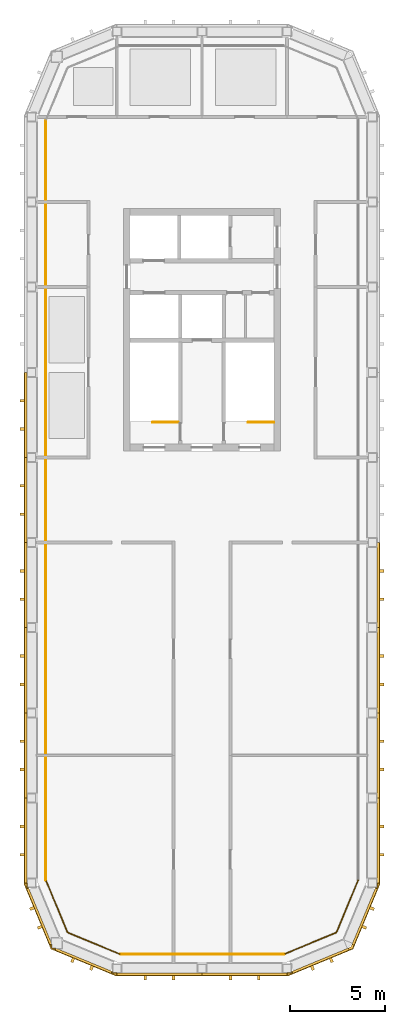
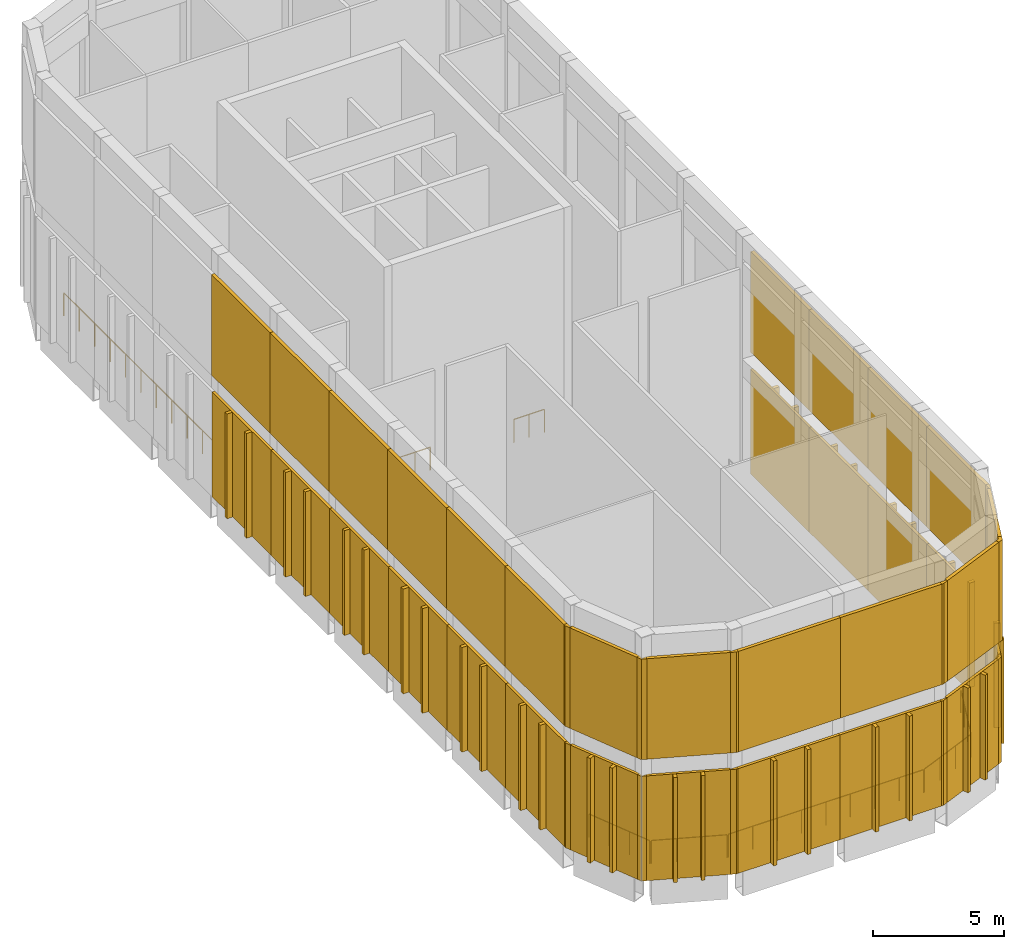
# One storey, part 5 of 7: 76 shading devices, 8 railings.
"""IFC4 building model written with IfcOpenShell, lengths in metres."""

from ifc_helpers import new_model, si_unit, direction, frame, origin, origin_2d, place, context, subcontext, project, spatial, polyline, rectangle, circle, outline, extrude, material, type_object, element, save


model = new_model("IFC4")

# Units and contexts
model_context = context("Model", 3, precision=1e-05, world=origin(), true_north=direction((0.0, 1.0)))
body_context = subcontext(model_context, "Body", "Model", "MODEL_VIEW")
ifc_project = project(units=[si_unit("LENGTHUNIT", "METRE"), si_unit("AREAUNIT", "SQUARE_METRE"), si_unit("VOLUMEUNIT", "CUBIC_METRE"), si_unit("PLANEANGLEUNIT", "RADIAN"), si_unit("MASSUNIT", "GRAM", prefix="KILO")], contexts=[model_context])

# Site, building, storey
site_placement = place(None, origin())
site = spatial("IfcSite", under=ifc_project, at=site_placement, CompositionType="ELEMENT")
building_placement = place(site_placement, origin())
building = spatial("IfcBuilding", under=site, at=building_placement, Name="Girih Gate Residences", CompositionType="ELEMENT")
storey_placement = place(building_placement, frame((0.0, 0.0, 247.094970703125)))
storey = spatial("IfcBuildingStorey", under=building, at=storey_placement, Name="L67", CompositionType="ELEMENT", Elevation=247.094970703125)

# Railings
ifc_material_1 = material(Name="Stainless steel railing", Category="steel")
railing_type_1 = type_object("IfcRailingType", Name="Crown deck guard 1100", PredefinedType="GUARDRAIL", material=ifc_material_1)
railing_1_placement = place(storey_placement, frame((17.25, 4.649169921875, 0.0)))
element("IfcRailing", 1, at=railing_1_placement, inside=storey, type_object=railing_type_1, Name="Crown deck guard L67 1.1.2", PredefinedType="GUARDRAIL", context=body_context, shape_type="SweptSolid", body=[
    extrude(circle(Radius=0.02490234375, at=origin_2d()), frame((0.0, 0.0, 1.0751953125), z_axis=(-0.382705716862, -0.923870301656, 0.0), x_axis=(0.923870301656, -0.382705716862, 0.0)), (0.0, 0.0, 1.0), 2.92431640625),
    extrude(circle(Radius=0.02490234375, at=origin_2d()), origin(), (0.0, 0.0, 1.0), 1.050048828125),
    extrude(circle(Radius=0.02490234375, at=origin_2d()), frame((-0.373046875, -0.900634765625, 0.0)), (0.0, 0.0, 1.0), 1.050048828125),
    extrude(circle(Radius=0.02490234375, at=origin_2d()), frame((-0.74609375, -1.801025390625, 0.0)), (0.0, 0.0, 1.0), 1.050048828125),
    extrude(circle(Radius=0.02490234375, at=origin_2d()), frame((-1.119140625, -2.70166015625, 0.0)), (0.0, 0.0, 1.0), 1.050048828125),
])
railing_2_placement = place(storey_placement, frame((16.10791015625, 1.89208984375, 0.0)))
element("IfcRailing", 2, at=railing_2_placement, inside=storey, type_object=railing_type_1, Name="Crown deck guard L67 1.1.3", PredefinedType="GUARDRAIL", context=body_context, shape_type="SweptSolid", body=[
    extrude(circle(Radius=0.02490234375, at=origin_2d()), frame((0.0, 0.0, 1.0751953125), z_axis=(-0.923870301656, -0.382705716862, 0.0), x_axis=(0.382705716862, -0.923870301656, 0.0)), (0.0, 0.0, 1.0), 2.92431640625),
    extrude(circle(Radius=0.02490234375, at=origin_2d()), origin(), (0.0, 0.0, 1.0), 1.050048828125),
    extrude(circle(Radius=0.02490234375, at=origin_2d()), frame((-0.900634765625, -0.373046875, 0.0)), (0.0, 0.0, 1.0), 1.050048828125),
    extrude(circle(Radius=0.02490234375, at=origin_2d()), frame((-1.801025390625, -0.74609375, 0.0)), (0.0, 0.0, 1.0), 1.050048828125),
    extrude(circle(Radius=0.02490234375, at=origin_2d()), frame((-2.70166015625, -1.119140625, 0.0)), (0.0, 0.0, 1.0), 1.050048828125),
])
railing_3_placement = place(storey_placement, frame((13.350830078125, 0.75, 0.0)))
element("IfcRailing", 3, at=railing_3_placement, inside=storey, type_object=railing_type_1, Name="Crown deck guard L67 1.1.4", PredefinedType="GUARDRAIL", context=body_context, shape_type="SweptSolid", body=[
    extrude(circle(Radius=0.02490234375, at=origin_2d()), frame((0.0, 0.0, 1.0751953125), z_axis=(-1.0, 0.0, 0.0), x_axis=(0.0, -1.0, 0.0)), (0.0, 0.0, 1.0), 8.6416015625),
    extrude(circle(Radius=0.02490234375, at=origin_2d()), origin(), (0.0, 0.0, 1.0), 1.050048828125),
    extrude(circle(Radius=0.02490234375, at=origin_2d()), frame((-1.080078125, 0.0, 0.0)), (0.0, 0.0, 1.0), 1.050048828125),
    extrude(circle(Radius=0.02490234375, at=origin_2d()), frame((-2.160400390625, 0.0, 0.0)), (0.0, 0.0, 1.0), 1.050048828125),
    extrude(circle(Radius=0.02490234375, at=origin_2d()), frame((-3.24072265625, 0.0, 0.0)), (0.0, 0.0, 1.0), 1.050048828125),
    extrude(circle(Radius=0.02490234375, at=origin_2d()), frame((-4.32080078125, 0.0, 0.0)), (0.0, 0.0, 1.0), 1.050048828125),
    extrude(circle(Radius=0.02490234375, at=origin_2d()), frame((-5.40087890625, 0.0, 0.0)), (0.0, 0.0, 1.0), 1.050048828125),
    extrude(circle(Radius=0.02490234375, at=origin_2d()), frame((-6.481201171875, 0.0, 0.0)), (0.0, 0.0, 1.0), 1.050048828125),
    extrude(circle(Radius=0.02490234375, at=origin_2d()), frame((-7.5615234375, 0.0, 0.0)), (0.0, 0.0, 1.0), 1.050048828125),
    extrude(circle(Radius=0.02490234375, at=origin_2d()), frame((-8.6416015625, 0.0, 0.0)), (0.0, 0.0, 1.0), 1.050048828125),
])
railing_4_placement = place(storey_placement, frame((4.649169921875, 0.75, 0.0)))
element("IfcRailing", 4, at=railing_4_placement, inside=storey, type_object=railing_type_1, Name="Crown deck guard L67 1.1.5", PredefinedType="GUARDRAIL", context=body_context, shape_type="SweptSolid", body=[
    extrude(circle(Radius=0.02490234375, at=origin_2d()), frame((0.0, 0.0, 1.0751953125), z_axis=(-0.923870301656, 0.382705716862, 0.0), x_axis=(-0.382705716862, -0.923870301656, 0.0)), (0.0, 0.0, 1.0), 2.92431640625),
    extrude(circle(Radius=0.02490234375, at=origin_2d()), origin(), (0.0, 0.0, 1.0), 1.050048828125),
    extrude(circle(Radius=0.02490234375, at=origin_2d()), frame((-0.900634765625, 0.373046875, 0.0)), (0.0, 0.0, 1.0), 1.050048828125),
    extrude(circle(Radius=0.02490234375, at=origin_2d()), frame((-1.801025390625, 0.74609375, 0.0)), (0.0, 0.0, 1.0), 1.050048828125),
    extrude(circle(Radius=0.02490234375, at=origin_2d()), frame((-2.70166015625, 1.119140625, 0.0)), (0.0, 0.0, 1.0), 1.050048828125),
])
railing_5_placement = place(storey_placement, frame((1.89208984375, 1.89208984375, 0.0)))
element("IfcRailing", 5, at=railing_5_placement, inside=storey, type_object=railing_type_1, Name="Crown deck guard L67 1.1.6", PredefinedType="GUARDRAIL", context=body_context, shape_type="SweptSolid", body=[
    extrude(circle(Radius=0.02490234375, at=origin_2d()), frame((0.0, 0.0, 1.0751953125), z_axis=(-0.382705716862, 0.923870301656, 0.0), x_axis=(-0.923870301656, -0.382705716862, 0.0)), (0.0, 0.0, 1.0), 2.92431640625),
    extrude(circle(Radius=0.02490234375, at=origin_2d()), origin(), (0.0, 0.0, 1.0), 1.050048828125),
    extrude(circle(Radius=0.02490234375, at=origin_2d()), frame((-0.373046875, 0.900634765625, 0.0)), (0.0, 0.0, 1.0), 1.050048828125),
    extrude(circle(Radius=0.02490234375, at=origin_2d()), frame((-0.74609375, 1.801025390625, 0.0)), (0.0, 0.0, 1.0), 1.050048828125),
    extrude(circle(Radius=0.02490234375, at=origin_2d()), frame((-1.119140625, 2.70166015625, 0.0)), (0.0, 0.0, 1.0), 1.050048828125),
])
railing_6_placement = place(storey_placement, frame((0.75, 4.649169921875, 0.0)))
element("IfcRailing", 6, at=railing_6_placement, inside=storey, type_object=railing_type_1, Name="Crown deck guard L67 1.1.7", PredefinedType="GUARDRAIL", context=body_context, shape_type="SweptSolid", body=[
    extrude(circle(Radius=0.02490234375, at=origin_2d()), frame((0.0, 0.0, 1.0751953125), z_axis=(0.0, 1.0, 0.0), x_axis=(-1.0, 0.0, 0.0)), (0.0, 0.0, 1.0), 40.1416015625),
    extrude(circle(Radius=0.02490234375, at=origin_2d()), origin(), (0.0, 0.0, 1.0), 1.050048828125),
    extrude(circle(Radius=0.02490234375, at=origin_2d()), frame((0.0, 1.1806640625, 0.0)), (0.0, 0.0, 1.0), 1.050048828125),
    extrude(circle(Radius=0.02490234375, at=origin_2d()), frame((0.0, 2.361328125, 0.0)), (0.0, 0.0, 1.0), 1.050048828125),
    extrude(circle(Radius=0.02490234375, at=origin_2d()), frame((0.0, 3.5419921875, 0.0)), (0.0, 0.0, 1.0), 1.050048828125),
    extrude(circle(Radius=0.02490234375, at=origin_2d()), frame((0.0, 4.72265625, 0.0)), (0.0, 0.0, 1.0), 1.050048828125),
    extrude(circle(Radius=0.02490234375, at=origin_2d()), frame((0.0, 5.903076171875, 0.0)), (0.0, 0.0, 1.0), 1.050048828125),
    extrude(circle(Radius=0.02490234375, at=origin_2d()), frame((0.0, 7.083740234375, 0.0)), (0.0, 0.0, 1.0), 1.050048828125),
    extrude(circle(Radius=0.02490234375, at=origin_2d()), frame((0.0, 8.264404296875, 0.0)), (0.0, 0.0, 1.0), 1.050048828125),
    extrude(circle(Radius=0.02490234375, at=origin_2d()), frame((0.0, 9.445068359375, 0.0)), (0.0, 0.0, 1.0), 1.050048828125),
    extrude(circle(Radius=0.02490234375, at=origin_2d()), frame((0.0, 10.625732421875, 0.0)), (0.0, 0.0, 1.0), 1.050048828125),
    extrude(circle(Radius=0.02490234375, at=origin_2d()), frame((0.0, 11.806396484375, 0.0)), (0.0, 0.0, 1.0), 1.050048828125),
    extrude(circle(Radius=0.02490234375, at=origin_2d()), frame((0.0, 12.987060546875, 0.0)), (0.0, 0.0, 1.0), 1.050048828125),
    extrude(circle(Radius=0.02490234375, at=origin_2d()), frame((0.0, 14.167724609375, 0.0)), (0.0, 0.0, 1.0), 1.050048828125),
    extrude(circle(Radius=0.02490234375, at=origin_2d()), frame((0.0, 15.34814453125, 0.0)), (0.0, 0.0, 1.0), 1.050048828125),
    extrude(circle(Radius=0.02490234375, at=origin_2d()), frame((0.0, 16.52880859375, 0.0)), (0.0, 0.0, 1.0), 1.050048828125),
    extrude(circle(Radius=0.02490234375, at=origin_2d()), frame((0.0, 17.70947265625, 0.0)), (0.0, 0.0, 1.0), 1.050048828125),
    extrude(circle(Radius=0.02490234375, at=origin_2d()), frame((0.0, 18.89013671875, 0.0)), (0.0, 0.0, 1.0), 1.050048828125),
    extrude(circle(Radius=0.02490234375, at=origin_2d()), frame((0.0, 20.07080078125, 0.0)), (0.0, 0.0, 1.0), 1.050048828125),
    extrude(circle(Radius=0.02490234375, at=origin_2d()), frame((0.0, 21.25146484375, 0.0)), (0.0, 0.0, 1.0), 1.050048828125),
    extrude(circle(Radius=0.02490234375, at=origin_2d()), frame((0.0, 22.43212890625, 0.0)), (0.0, 0.0, 1.0), 1.050048828125),
    extrude(circle(Radius=0.02490234375, at=origin_2d()), frame((0.0, 23.61279296875, 0.0)), (0.0, 0.0, 1.0), 1.050048828125),
    extrude(circle(Radius=0.02490234375, at=origin_2d()), frame((0.0, 24.79345703125, 0.0)), (0.0, 0.0, 1.0), 1.050048828125),
    extrude(circle(Radius=0.02490234375, at=origin_2d()), frame((0.0, 25.973876953125, 0.0)), (0.0, 0.0, 1.0), 1.050048828125),
    extrude(circle(Radius=0.02490234375, at=origin_2d()), frame((0.0, 27.154541015625, 0.0)), (0.0, 0.0, 1.0), 1.050048828125),
    extrude(circle(Radius=0.02490234375, at=origin_2d()), frame((0.0, 28.335205078125, 0.0)), (0.0, 0.0, 1.0), 1.050048828125),
    extrude(circle(Radius=0.02490234375, at=origin_2d()), frame((0.0, 29.515869140625, 0.0)), (0.0, 0.0, 1.0), 1.050048828125),
    extrude(circle(Radius=0.02490234375, at=origin_2d()), frame((0.0, 30.696533203125, 0.0)), (0.0, 0.0, 1.0), 1.050048828125),
    extrude(circle(Radius=0.02490234375, at=origin_2d()), frame((0.0, 31.877197265625, 0.0)), (0.0, 0.0, 1.0), 1.050048828125),
    extrude(circle(Radius=0.02490234375, at=origin_2d()), frame((0.0, 33.057861328125, 0.0)), (0.0, 0.0, 1.0), 1.050048828125),
    extrude(circle(Radius=0.02490234375, at=origin_2d()), frame((0.0, 34.238525390625, 0.0)), (0.0, 0.0, 1.0), 1.050048828125),
    extrude(circle(Radius=0.02490234375, at=origin_2d()), frame((0.0, 35.4189453125, 0.0)), (0.0, 0.0, 1.0), 1.050048828125),
    extrude(circle(Radius=0.02490234375, at=origin_2d()), frame((0.0, 36.599609375, 0.0)), (0.0, 0.0, 1.0), 1.050048828125),
    extrude(circle(Radius=0.02490234375, at=origin_2d()), frame((0.0, 37.7802734375, 0.0)), (0.0, 0.0, 1.0), 1.050048828125),
    extrude(circle(Radius=0.02490234375, at=origin_2d()), frame((0.0, 38.9609375, 0.0)), (0.0, 0.0, 1.0), 1.050048828125),
    extrude(circle(Radius=0.02490234375, at=origin_2d()), frame((0.0, 40.1416015625, 0.0)), (0.0, 0.0, 1.0), 1.050048828125),
])

# Shading devices
ifc_material_2 = material(Name="Precast concrete C50/60", Category="concrete")
shading_device_type_1 = type_object("IfcShadingDeviceType", Name="Crown fluted rib 150x250", PredefinedType="USERDEFINED", material=ifc_material_2)
for number, where, z_axis, x_axis, name in (
    (7, (-0.4951171875, 30.0, 0.0), (0.0, 0.0, 1.0), (0.0, -1.0, 0.0), "Crown rib 3.W0000_0450.3.1"),
    (8, (-0.4951171875, 28.5, 0.0), (0.0, 0.0, 1.0), (0.0, -1.0, 0.0), "Crown rib 3.W0000_0450.3.2"),
    (9, (-0.4951171875, 25.5, 0.0), (0.0, 0.0, 1.0), (0.0, -1.0, 0.0), "Crown rib 3.W0000_0450.4.1"),
    (10, (-0.4951171875, 24.0, 0.0), (0.0, 0.0, 1.0), (0.0, -1.0, 0.0), "Crown rib 3.W0000_0450.4.2"),
    (11, (-0.4951171875, 21.0, 0.0), (0.0, 0.0, 1.0), (0.0, -1.0, 0.0), "Crown rib 3.W0000_0450.5.1"),
    (12, (-0.4951171875, 19.5, 0.0), (0.0, 0.0, 1.0), (0.0, -1.0, 0.0), "Crown rib 3.W0000_0450.5.2"),
    (13, (-0.4951171875, 16.5, 0.0), (0.0, 0.0, 1.0), (0.0, -1.0, 0.0), "Crown rib 3.W0000_0450.6.1"),
    (14, (-0.4951171875, 15.0, 0.0), (0.0, 0.0, 1.0), (0.0, -1.0, 0.0), "Crown rib 3.W0000_0450.6.2"),
    (15, (-0.4951171875, 12.0, 0.0), (0.0, 0.0, 1.0), (0.0, -1.0, 0.0), "Crown rib 3.W0000_0450.7.1"),
    (16, (-0.4951171875, 10.5, 0.0), (0.0, 0.0, 1.0), (0.0, -1.0, 0.0), "Crown rib 3.W0000_0450.7.2"),
    (17, (-0.4951171875, 7.5, 0.0), (0.0, 0.0, 1.0), (0.0, -1.0, 0.0), "Crown rib 3.W0000_0450.8.1"),
    (18, (-0.4951171875, 6.0, 0.0), (0.0, 0.0, 1.0), (0.0, -1.0, 0.0), "Crown rib 3.W0000_0450.8.2"),
    (19, (0.018310546875, 3.162353515625, 0.0), (0.0, 0.0, 1.0), (0.382683432365, -0.923879532511, 0.0), "Crown rib 3.SW0000_0045.0.1"),
    (20, (0.429931640625, 2.16845703125, 0.0), (0.0, 0.0, 1.0), (0.382683432365, -0.923879532511, 0.0), "Crown rib 3.SW0000_0045.0.2"),
    (21, (2.16845703125, 0.429931640625, 0.0), (0.0, 0.0, 1.0), (0.923879532511, -0.382683432365, 0.0), "Crown rib 3.SW0013_0013.0.1"),
    (22, (3.162353515625, 0.018310546875, 0.0), (0.0, 0.0, 1.0), (0.923879532511, -0.382683432365, 0.0), "Crown rib 3.SW0013_0013.0.2"),
    (23, (6.0, -0.4951171875, 0.0), (0.0, 0.0, 1.0), (1.0, 0.0, 0.0), "Crown rib 3.S0045_0000.0.1"),
    (24, (7.5, -0.4951171875, 0.0), (0.0, 0.0, 1.0), (1.0, 0.0, 0.0), "Crown rib 3.S0045_0000.0.2"),
    (25, (10.5, -0.4951171875, 0.0), (0.0, 0.0, 1.0), (1.0, 0.0, 0.0), "Crown rib 3.S0045_0000.1.1"),
    (26, (12.0, -0.4951171875, 0.0), (0.0, 0.0, 1.0), (1.0, 0.0, 0.0), "Crown rib 3.S0045_0000.1.2"),
    (27, (14.837646484375, 0.018310546875, 0.0), (0.0, 0.0, 1.0), (0.923879532511, 0.382683432365, 0.0), "Crown rib 3.SE0135_0000.0.1"),
    (28, (15.83154296875, 0.429931640625, 0.0), (0.0, 0.0, 1.0), (0.923879532511, 0.382683432365, 0.0), "Crown rib 3.SE0135_0000.0.2"),
    (29, (17.570068359375, 2.16845703125, 0.0), (0.0, 0.0, 1.0), (0.382683432365, 0.923879532511, 0.0), "Crown rib 3.SE0167_0013.0.1"),
    (30, (17.981689453125, 3.162353515625, 0.0), (0.0, 0.0, 1.0), (0.382683432365, 0.923879532511, 0.0), "Crown rib 3.SE0167_0013.0.2"),
    (31, (18.4951171875, 6.0, 0.0), (0.0, 0.0, 1.0), (0.0, 1.0, 0.0), "Crown rib 3.E0180_0045.0.1"),
    (32, (18.4951171875, 7.5, 0.0), (0.0, 0.0, 1.0), (0.0, 1.0, 0.0), "Crown rib 3.E0180_0045.0.2"),
    (33, (18.4951171875, 10.5, 0.0), (0.0, 0.0, 1.0), (0.0, 1.0, 0.0), "Crown rib 3.E0180_0045.1.1"),
    (34, (18.4951171875, 12.0, 0.0), (0.0, 0.0, 1.0), (0.0, 1.0, 0.0), "Crown rib 3.E0180_0045.1.2"),
    (35, (18.4951171875, 15.0, 0.0), (0.0, 0.0, 1.0), (0.0, 1.0, 0.0), "Crown rib 3.E0180_0045.2.1"),
    (36, (18.4951171875, 16.5, 0.0), (0.0, 0.0, 1.0), (0.0, 1.0, 0.0), "Crown rib 3.E0180_0045.2.2"),
    (37, (18.4951171875, 19.5, 0.0), (0.0, 0.0, 1.0), (0.0, 1.0, 0.0), "Crown rib 3.E0180_0045.3.1"),
    (38, (18.4951171875, 21.0, 0.0), (0.0, 0.0, 1.0), (0.0, 1.0, 0.0), "Crown rib 3.E0180_0045.3.2"),
):
    element("IfcShadingDevice", number, at=place(storey_placement, frame(where, z_axis=z_axis, x_axis=x_axis)), inside=storey, type_object=shading_device_type_1, Name=name, ObjectType="FIN", PredefinedType="USERDEFINED", context=body_context, shape_type="SweptSolid", body=[
        extrude(rectangle(XDim=0.14990234375, YDim=0.25, at=origin_2d()), origin(), (0.0, 0.0, 1.0), 4.89990234375),
    ])
ifc_material_3 = material(Name="Aluminium louvre", Category="aluminium")
shading_device_type_2 = type_object("IfcShadingDeviceType", Name="Crown louvre band 150", PredefinedType="USERDEFINED", material=ifc_material_3)
for number, where, z_axis, x_axis, name in (
    (39, (-0.324951171875, 29.25, 5.7001953125), (0.0, 0.0, 1.0), (0.0, -1.0, 0.0), "Crown louvre 4.W0000_0450.3"),
    (40, (-0.324951171875, 24.75, 5.7001953125), (0.0, 0.0, 1.0), (0.0, -1.0, 0.0), "Crown louvre 4.W0000_0450.4"),
    (41, (-0.324951171875, 20.25, 5.7001953125), (0.0, 0.0, 1.0), (0.0, -1.0, 0.0), "Crown louvre 4.W0000_0450.5"),
    (42, (-0.324951171875, 15.75, 5.7001953125), (0.0, 0.0, 1.0), (0.0, -1.0, 0.0), "Crown louvre 4.W0000_0450.6"),
    (43, (-0.324951171875, 11.25, 5.7001953125), (0.0, 0.0, 1.0), (0.0, -1.0, 0.0), "Crown louvre 4.W0000_0450.7"),
    (44, (-0.324951171875, 6.75, 5.7001953125), (0.0, 0.0, 1.0), (0.0, -1.0, 0.0), "Crown louvre 4.W0000_0450.8"),
):
    element("IfcShadingDevice", number, at=place(storey_placement, frame(where, z_axis=z_axis, x_axis=x_axis)), inside=storey, type_object=shading_device_type_2, Name=name, ObjectType="LOUVRE", PredefinedType="USERDEFINED", context=body_context, shape_type="SweptSolid", body=[
        extrude(rectangle(XDim=4.5, YDim=0.14990234375, at=origin_2d()), origin(), (0.0, 0.0, 1.0), 4.699951171875),
    ])
for number, where, z_axis, x_axis, name in (
    (45, (0.381103515625, 2.73046875, 5.7001953125), (0.0, 0.0, 1.0), (0.382683432365, -0.923879532511, 0.0), "Crown louvre 4.SW0000_0045.0"),
    (46, (2.73046875, 0.381103515625, 5.7001953125), (0.0, 0.0, 1.0), (0.923879532511, -0.382683432365, 0.0), "Crown louvre 4.SW0013_0013.0"),
):
    element("IfcShadingDevice", number, at=place(storey_placement, frame(where, z_axis=z_axis, x_axis=x_axis)), inside=storey, type_object=shading_device_type_2, Name=name, ObjectType="LOUVRE", PredefinedType="USERDEFINED", context=body_context, shape_type="SweptSolid", body=[
        extrude(rectangle(XDim=3.227294921875, YDim=0.14990234375, at=origin_2d()), origin(), (0.0, 0.0, 1.0), 4.699951171875),
    ])
for number, where, z_axis, x_axis, name in (
    (47, (6.75, -0.324951171875, 5.7001953125), (0.0, 0.0, 1.0), (1.0, 0.0, 0.0), "Crown louvre 4.S0045_0000.0"),
    (48, (11.25, -0.324951171875, 5.7001953125), (0.0, 0.0, 1.0), (1.0, 0.0, 0.0), "Crown louvre 4.S0045_0000.1"),
):
    element("IfcShadingDevice", number, at=place(storey_placement, frame(where, z_axis=z_axis, x_axis=x_axis)), inside=storey, type_object=shading_device_type_2, Name=name, ObjectType="LOUVRE", PredefinedType="USERDEFINED", context=body_context, shape_type="SweptSolid", body=[
        extrude(rectangle(XDim=4.5, YDim=0.14990234375, at=origin_2d()), origin(), (0.0, 0.0, 1.0), 4.699951171875),
    ])
for number, where, z_axis, x_axis, name in (
    (49, (15.26953125, 0.381103515625, 5.7001953125), (0.0, 0.0, 1.0), (0.923879532511, 0.382683432365, 0.0), "Crown louvre 4.SE0135_0000.0"),
    (50, (17.618896484375, 2.73046875, 5.7001953125), (0.0, 0.0, 1.0), (0.382683432365, 0.923879532511, 0.0), "Crown louvre 4.SE0167_0013.0"),
):
    element("IfcShadingDevice", number, at=place(storey_placement, frame(where, z_axis=z_axis, x_axis=x_axis)), inside=storey, type_object=shading_device_type_2, Name=name, ObjectType="LOUVRE", PredefinedType="USERDEFINED", context=body_context, shape_type="SweptSolid", body=[
        extrude(rectangle(XDim=3.227294921875, YDim=0.14990234375, at=origin_2d()), origin(), (0.0, 0.0, 1.0), 4.699951171875),
    ])
for number, where, z_axis, x_axis, name in (
    (51, (18.324951171875, 6.75, 5.7001953125), (0.0, 0.0, 1.0), (0.0, 1.0, 0.0), "Crown louvre 4.E0180_0045.0"),
    (52, (18.324951171875, 11.25, 5.7001953125), (0.0, 0.0, 1.0), (0.0, 1.0, 0.0), "Crown louvre 4.E0180_0045.1"),
    (53, (18.324951171875, 15.75, 5.7001953125), (0.0, 0.0, 1.0), (0.0, 1.0, 0.0), "Crown louvre 4.E0180_0045.2"),
    (54, (18.324951171875, 20.25, 5.7001953125), (0.0, 0.0, 1.0), (0.0, 1.0, 0.0), "Crown louvre 4.E0180_0045.3"),
):
    element("IfcShadingDevice", number, at=place(storey_placement, frame(where, z_axis=z_axis, x_axis=x_axis)), inside=storey, type_object=shading_device_type_2, Name=name, ObjectType="LOUVRE", PredefinedType="USERDEFINED", context=body_context, shape_type="SweptSolid", body=[
        extrude(rectangle(XDim=4.5, YDim=0.14990234375, at=origin_2d()), origin(), (0.0, 0.0, 1.0), 4.699951171875),
    ])
shading_device_1_placement = place(storey_placement, frame((0.0, 0.0, 5.699951171875)))
element("IfcShadingDevice", 55, at=shading_device_1_placement, inside=storey, type_object=shading_device_type_2, Name="Crown louvre corner 4.W0000_0450.8", ObjectType="LOUVRE", PredefinedType="USERDEFINED", context=body_context, shape_type="SweptSolid", body=[
    extrude(outline(polyline([(-0.39990234375, 4.42041015625), (-0.39990234375, 4.5), (-0.25, 4.5), (-0.25, 4.25), (-0.167236328125, 4.25), (-0.3056640625, 4.192626953125), (-0.39990234375, 4.42041015625)])), origin(), (0.0, 0.0, 1.0), 4.7001953125),
])
shading_device_2_placement = place(storey_placement, frame((0.0, 0.0, 5.699951171875)))
element("IfcShadingDevice", 56, at=shading_device_2_placement, inside=storey, type_object=shading_device_type_2, Name="Crown louvre corner 4.SW0000_0045.0", ObjectType="LOUVRE", PredefinedType="USERDEFINED", context=body_context, shape_type="SweptSolid", body=[
    extrude(outline(polyline([(1.011962890625, 1.011962890625), (0.929443359375, 1.2109375), (1.068115234375, 1.268310546875), (1.068115234375, 1.068115234375), (1.268310546875, 1.068115234375), (1.2109375, 0.929443359375), (1.011962890625, 1.011962890625)])), origin(), (0.0, 0.0, 1.0), 4.7001953125),
])
shading_device_3_placement = place(storey_placement, frame((0.0, 0.0, 5.699951171875)))
element("IfcShadingDevice", 57, at=shading_device_3_placement, inside=storey, type_object=shading_device_type_2, Name="Crown louvre corner 4.SW0013_0013.0", ObjectType="LOUVRE", PredefinedType="USERDEFINED", context=body_context, shape_type="SweptSolid", body=[
    extrude(outline(polyline([(4.42041015625, -0.39990234375), (4.192626953125, -0.3056640625), (4.25, -0.1669921875), (4.25, -0.25), (4.5, -0.25), (4.5, -0.39990234375), (4.42041015625, -0.39990234375)])), origin(), (0.0, 0.0, 1.0), 4.7001953125),
])
shading_device_4_placement = place(storey_placement, frame((0.0, 0.0, 5.699951171875)))
element("IfcShadingDevice", 58, at=shading_device_4_placement, inside=storey, type_object=shading_device_type_2, Name="Crown louvre corner 4.S0045_0000.1", ObjectType="LOUVRE", PredefinedType="USERDEFINED", context=body_context, shape_type="SweptSolid", body=[
    extrude(outline(polyline([(13.57958984375, -0.39990234375), (13.5, -0.39990234375), (13.5, -0.25), (13.75, -0.25), (13.75, -0.167236328125), (13.807373046875, -0.3056640625), (13.57958984375, -0.39990234375)])), origin(), (0.0, 0.0, 1.0), 4.7001953125),
])
shading_device_5_placement = place(storey_placement, frame((0.0, 0.0, 5.699951171875)))
element("IfcShadingDevice", 59, at=shading_device_5_placement, inside=storey, type_object=shading_device_type_2, Name="Crown louvre corner 4.SE0135_0000.0", ObjectType="LOUVRE", PredefinedType="USERDEFINED", context=body_context, shape_type="SweptSolid", body=[
    extrude(outline(polyline([(16.988037109375, 1.011962890625), (16.7890625, 0.929443359375), (16.731689453125, 1.068115234375), (16.873291015625, 1.126708984375), (16.931884765625, 1.268310546875), (17.070556640625, 1.2109375), (16.988037109375, 1.011962890625)])), origin(), (0.0, 0.0, 1.0), 4.7001953125),
])
shading_device_6_placement = place(storey_placement, frame((0.0, 0.0, 5.699951171875)))
element("IfcShadingDevice", 60, at=shading_device_6_placement, inside=storey, type_object=shading_device_type_2, Name="Crown louvre corner 4.SE0167_0013.0", ObjectType="LOUVRE", PredefinedType="USERDEFINED", context=body_context, shape_type="SweptSolid", body=[
    extrude(outline(polyline([(18.39990234375, 4.42041015625), (18.3056640625, 4.192626953125), (18.1669921875, 4.25), (18.25, 4.25), (18.25, 4.5), (18.39990234375, 4.5), (18.39990234375, 4.42041015625)])), origin(), (0.0, 0.0, 1.0), 4.7001953125),
])
ifc_material_4 = material(Name="Turquoise glazed tile panjara screen")
shading_device_type_3 = type_object("IfcShadingDeviceType", Name="Crown tile screen 120", PredefinedType="USERDEFINED", material=ifc_material_4)
for number, where, z_axis, x_axis, name in (
    (61, (-0.31005859375, 29.25, 0.0), (0.0, 0.0, 1.0), (0.0, -1.0, 0.0), "Crown screen 3.W0000_0450.3"),
    (62, (-0.31005859375, 24.75, 0.0), (0.0, 0.0, 1.0), (0.0, -1.0, 0.0), "Crown screen 3.W0000_0450.4"),
    (63, (-0.31005859375, 20.25, 0.0), (0.0, 0.0, 1.0), (0.0, -1.0, 0.0), "Crown screen 3.W0000_0450.5"),
    (64, (-0.31005859375, 15.75, 0.0), (0.0, 0.0, 1.0), (0.0, -1.0, 0.0), "Crown screen 3.W0000_0450.6"),
    (65, (-0.31005859375, 11.25, 0.0), (0.0, 0.0, 1.0), (0.0, -1.0, 0.0), "Crown screen 3.W0000_0450.7"),
    (66, (-0.31005859375, 6.75, 0.0), (0.0, 0.0, 1.0), (0.0, -1.0, 0.0), "Crown screen 3.W0000_0450.8"),
):
    element("IfcShadingDevice", number, at=place(storey_placement, frame(where, z_axis=z_axis, x_axis=x_axis)), inside=storey, type_object=shading_device_type_3, Name=name, ObjectType="SCREEN", PredefinedType="USERDEFINED", context=body_context, shape_type="SweptSolid", body=[
        extrude(rectangle(XDim=4.5, YDim=0.1201171875, at=origin_2d()), origin(), (0.0, 0.0, 1.0), 4.89990234375),
    ])
for number, where, z_axis, x_axis, name in (
    (67, (0.39501953125, 2.736328125, 0.0), (0.0, 0.0, 1.0), (0.382683432365, -0.923879532511, 0.0), "Crown screen 3.SW0000_0045.0"),
    (68, (2.736083984375, 0.39501953125, 0.0), (0.0, 0.0, 1.0), (0.923879532511, -0.382683432365, 0.0), "Crown screen 3.SW0013_0013.0"),
):
    element("IfcShadingDevice", number, at=place(storey_placement, frame(where, z_axis=z_axis, x_axis=x_axis)), inside=storey, type_object=shading_device_type_3, Name=name, ObjectType="SCREEN", PredefinedType="USERDEFINED", context=body_context, shape_type="SweptSolid", body=[
        extrude(rectangle(XDim=3.227294921875, YDim=0.1201171875, at=origin_2d()), origin(), (0.0, 0.0, 1.0), 4.89990234375),
    ])
for number, where, z_axis, x_axis, name in (
    (69, (6.75, -0.31005859375, 0.0), (0.0, 0.0, 1.0), (1.0, 0.0, 0.0), "Crown screen 3.S0045_0000.0"),
    (70, (11.25, -0.31005859375, 0.0), (0.0, 0.0, 1.0), (1.0, 0.0, 0.0), "Crown screen 3.S0045_0000.1"),
):
    element("IfcShadingDevice", number, at=place(storey_placement, frame(where, z_axis=z_axis, x_axis=x_axis)), inside=storey, type_object=shading_device_type_3, Name=name, ObjectType="SCREEN", PredefinedType="USERDEFINED", context=body_context, shape_type="SweptSolid", body=[
        extrude(rectangle(XDim=4.5, YDim=0.1201171875, at=origin_2d()), origin(), (0.0, 0.0, 1.0), 4.89990234375),
    ])
for number, where, z_axis, x_axis, name in (
    (71, (15.263671875, 0.39501953125, 0.0), (0.0, 0.0, 1.0), (0.923879532511, 0.382683432365, 0.0), "Crown screen 3.SE0135_0000.0"),
    (72, (17.60498046875, 2.736083984375, 0.0), (0.0, 0.0, 1.0), (0.382683432365, 0.923879532511, 0.0), "Crown screen 3.SE0167_0013.0"),
):
    element("IfcShadingDevice", number, at=place(storey_placement, frame(where, z_axis=z_axis, x_axis=x_axis)), inside=storey, type_object=shading_device_type_3, Name=name, ObjectType="SCREEN", PredefinedType="USERDEFINED", context=body_context, shape_type="SweptSolid", body=[
        extrude(rectangle(XDim=3.227294921875, YDim=0.1201171875, at=origin_2d()), origin(), (0.0, 0.0, 1.0), 4.89990234375),
    ])
for number, where, z_axis, x_axis, name in (
    (73, (18.31005859375, 6.75, 0.0), (0.0, 0.0, 1.0), (0.0, 1.0, 0.0), "Crown screen 3.E0180_0045.0"),
    (74, (18.31005859375, 11.25, 0.0), (0.0, 0.0, 1.0), (0.0, 1.0, 0.0), "Crown screen 3.E0180_0045.1"),
    (75, (18.31005859375, 15.75, 0.0), (0.0, 0.0, 1.0), (0.0, 1.0, 0.0), "Crown screen 3.E0180_0045.2"),
    (76, (18.31005859375, 20.25, 0.0), (0.0, 0.0, 1.0), (0.0, 1.0, 0.0), "Crown screen 3.E0180_0045.3"),
):
    element("IfcShadingDevice", number, at=place(storey_placement, frame(where, z_axis=z_axis, x_axis=x_axis)), inside=storey, type_object=shading_device_type_3, Name=name, ObjectType="SCREEN", PredefinedType="USERDEFINED", context=body_context, shape_type="SweptSolid", body=[
        extrude(rectangle(XDim=4.5, YDim=0.1201171875, at=origin_2d()), origin(), (0.0, 0.0, 1.0), 4.89990234375),
    ])
shading_device_7_placement = place(storey_placement, origin())
element("IfcShadingDevice", 77, at=shading_device_7_placement, inside=storey, type_object=shading_device_type_3, Name="Crown screen corner 3.W0000_0450.8", ObjectType="SCREEN", PredefinedType="USERDEFINED", context=body_context, shape_type="SweptSolid", body=[
    extrude(outline(polyline([(-0.3701171875, 4.426513671875), (-0.3701171875, 4.5), (-0.25, 4.5), (-0.25, 4.25), (-0.167236328125, 4.25), (-0.27783203125, 4.2041015625), (-0.3701171875, 4.426513671875)])), origin(), (0.0, 0.0, 1.0), 4.900146484375),
])
shading_device_8_placement = place(storey_placement, origin())
element("IfcShadingDevice", 78, at=shading_device_8_placement, inside=storey, type_object=shading_device_type_3, Name="Crown screen corner 3.SW0000_0045.0", ObjectType="SCREEN", PredefinedType="USERDEFINED", context=body_context, shape_type="SweptSolid", body=[
    extrude(outline(polyline([(1.034912109375, 1.034912109375), (0.95703125, 1.222412109375), (1.068115234375, 1.268310546875), (1.068115234375, 1.068115234375), (1.268310546875, 1.068115234375), (1.222412109375, 0.957275390625), (1.034912109375, 1.034912109375)])), origin(), (0.0, 0.0, 1.0), 4.900146484375),
])
shading_device_9_placement = place(storey_placement, origin())
element("IfcShadingDevice", 79, at=shading_device_9_placement, inside=storey, type_object=shading_device_type_3, Name="Crown screen corner 3.SW0013_0013.0", ObjectType="SCREEN", PredefinedType="USERDEFINED", context=body_context, shape_type="SweptSolid", body=[
    extrude(outline(polyline([(4.426513671875, -0.3701171875), (4.2041015625, -0.27783203125), (4.25, -0.1669921875), (4.25, -0.25), (4.5, -0.25), (4.5, -0.3701171875), (4.426513671875, -0.3701171875)])), origin(), (0.0, 0.0, 1.0), 4.900146484375),
])
shading_device_10_placement = place(storey_placement, origin())
element("IfcShadingDevice", 80, at=shading_device_10_placement, inside=storey, type_object=shading_device_type_3, Name="Crown screen corner 3.S0045_0000.1", ObjectType="SCREEN", PredefinedType="USERDEFINED", context=body_context, shape_type="SweptSolid", body=[
    extrude(outline(polyline([(13.573486328125, -0.3701171875), (13.5, -0.3701171875), (13.5, -0.25), (13.75, -0.25), (13.75, -0.167236328125), (13.7958984375, -0.27783203125), (13.573486328125, -0.3701171875)])), origin(), (0.0, 0.0, 1.0), 4.900146484375),
])
shading_device_11_placement = place(storey_placement, origin())
element("IfcShadingDevice", 81, at=shading_device_11_placement, inside=storey, type_object=shading_device_type_3, Name="Crown screen corner 3.SE0135_0000.0", ObjectType="SCREEN", PredefinedType="USERDEFINED", context=body_context, shape_type="SweptSolid", body=[
    extrude(outline(polyline([(16.965087890625, 1.034912109375), (16.777587890625, 0.95703125), (16.731689453125, 1.068115234375), (16.873291015625, 1.126708984375), (16.931884765625, 1.268310546875), (17.042724609375, 1.222412109375), (16.965087890625, 1.034912109375)])), origin(), (0.0, 0.0, 1.0), 4.900146484375),
])
shading_device_12_placement = place(storey_placement, origin())
element("IfcShadingDevice", 82, at=shading_device_12_placement, inside=storey, type_object=shading_device_type_3, Name="Crown screen corner 3.SE0167_0013.0", ObjectType="SCREEN", PredefinedType="USERDEFINED", context=body_context, shape_type="SweptSolid", body=[
    extrude(outline(polyline([(18.3701171875, 4.426513671875), (18.27783203125, 4.2041015625), (18.1669921875, 4.25), (18.25, 4.25), (18.25, 4.5), (18.3701171875, 4.5), (18.3701171875, 4.426513671875)])), origin(), (0.0, 0.0, 1.0), 4.900146484375),
])

# Railings
ifc_material_5 = material(Name="Stainless steel", Category="steel")
railing_type_2 = type_object("IfcRailingType", Name="Stair guard 1100", PredefinedType="GUARDRAIL", material=ifc_material_5)
for number, where, name in (
    (83, (7.75, 28.85009765625, 0.0), "L67 ST-W1 top well guard 1"),
    (84, (12.800048828125, 28.85009765625, 0.0), "L67 ST-W2 top well guard 1"),
):
    element("IfcRailing", number, at=place(storey_placement, frame(where)), inside=storey, type_object=railing_type_2, Name=name, PredefinedType="GUARDRAIL", context=body_context, shape_type="SweptSolid", body=[
        extrude(circle(Radius=0.02392578125, at=origin_2d()), frame((0.0, 0.0, 1.076171875), z_axis=(-1.0, 0.0, 0.0), x_axis=(0.0, -1.0, 0.0)), (0.0, 0.0, 1.0), 1.35009765625),
        extrude(circle(Radius=0.02099609375, at=origin_2d()), origin(), (0.0, 0.0, 1.0), 1.052001953125),
        extrude(circle(Radius=0.02099609375, at=origin_2d()), frame((-0.675048828125, 0.0, 0.0)), (0.0, 0.0, 1.0), 1.052001953125),
        extrude(circle(Radius=0.02099609375, at=origin_2d()), frame((-1.35009765625, 0.0, 0.0)), (0.0, 0.0, 1.0), 1.052001953125),
    ])

save(model, "model.ifc")
